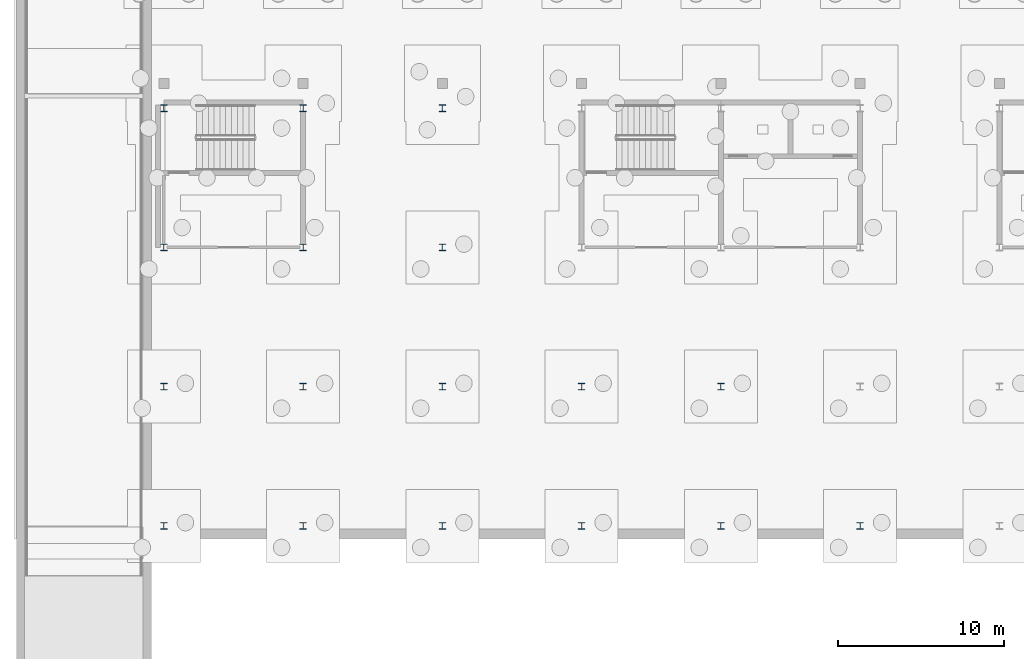
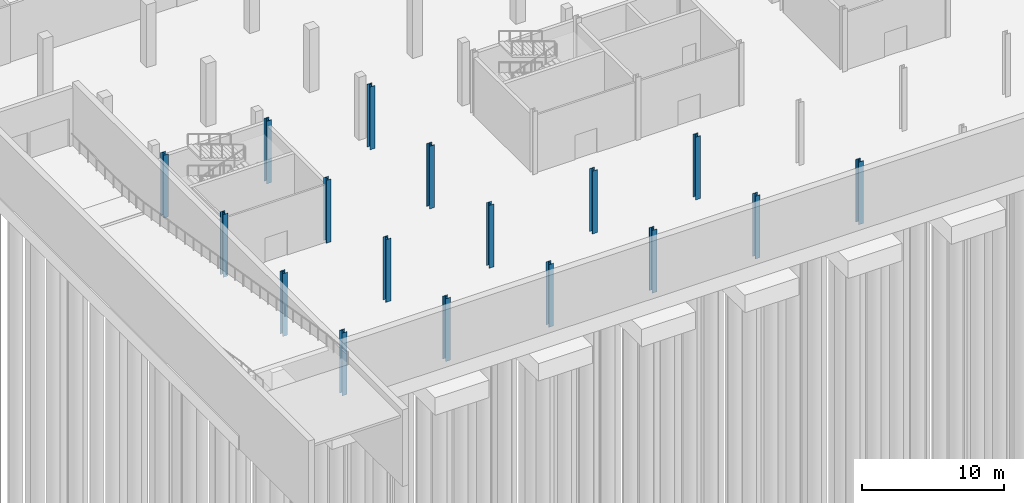
# One storey, part 5 of 29: 17 columns.
"""IFC4 building model written with IfcOpenShell, lengths in metres."""

from ifc_helpers import new_model, si_unit, direction, frame, origin, origin_2d, place, context, subcontext, project, spatial, i_section, extrude, material, material_profile, profile_set, type_object, element, save


model = new_model("IFC4")

# Units and contexts
model_context = context("Model", 3, precision=1e-05, world=origin(), true_north=direction((0.0, 1.0)))
body_context = subcontext(model_context, "Body", "Model", "MODEL_VIEW")
ifc_project = project(units=[si_unit("LENGTHUNIT", "METRE"), si_unit("AREAUNIT", "SQUARE_METRE"), si_unit("VOLUMEUNIT", "CUBIC_METRE"), si_unit("PLANEANGLEUNIT", "RADIAN"), si_unit("MASSUNIT", "GRAM", prefix="KILO")], contexts=[model_context])

# Site, building, storey
site_placement = place(None, origin())
site = spatial("IfcSite", under=ifc_project, at=site_placement, CompositionType="ELEMENT")
building_placement = place(site_placement, origin())
building = spatial("IfcBuilding", under=site, at=building_placement, Name="Cresset Court Congress Hotel", CompositionType="ELEMENT")
storey_placement = place(building_placement, frame((0.0, 0.0, -5.39990234375)))
storey = spatial("IfcBuildingStorey", under=building, at=storey_placement, Name="B1", CompositionType="ELEMENT", Elevation=-5.39990234375)

# Columns
ifc_material = material(Name="Structural steel Q355B", Category="steel")
ifc_material_profile = material_profile(ifc_material, i_section(OverallWidth=0.39990234375, OverallDepth=0.39990234375, WebThickness=0.012939453125, FlangeThickness=0.02099609375, FilletRadius=0.02197265625, at=origin_2d()), Name="HW400x400x13x21")
ifc_profile_set = profile_set([ifc_material_profile], Name="Structural steel Q355B")
column_type = type_object("IfcColumnType", Name="Steel column HW400x400x13x21", PredefinedType="COLUMN", material=ifc_profile_set)
for number, where, z_axis, x_axis, name in (
    (1, (8.39990234375, 0.0, 0.0), (0.0, 0.0, 1.0), (1.0, 0.0, 0.0), "B.col.B1.02A"),
    (2, (8.39990234375, 8.39990234375, 0.0), (0.0, 0.0, 1.0), (1.0, 0.0, 0.0), "B.col.B1.02B"),
    (3, (8.39990234375, 16.800048828125, 0.0), (0.0, 0.0, 1.0), (1.0, 0.0, 0.0), "B.col.B1.02C"),
    (4, (8.39990234375, 25.199951171875, 0.0), (0.0, 0.0, 1.0), (1.0, 0.0, 0.0), "B.col.B1.02D"),
    (5, (16.800048828125, 0.0, 0.0), (0.0, 0.0, 1.0), (1.0, 0.0, 0.0), "B.col.B1.03A"),
    (6, (16.800048828125, 8.39990234375, 0.0), (0.0, 0.0, 1.0), (1.0, 0.0, 0.0), "B.col.B1.03B"),
    (7, (16.800048828125, 16.800048828125, 0.0), (0.0, 0.0, 1.0), (1.0, 0.0, 0.0), "B.col.B1.03C"),
    (8, (16.800048828125, 25.199951171875, 0.0), (0.0, 0.0, 1.0), (1.0, 0.0, 0.0), "B.col.B1.03D"),
    (9, (25.199951171875, 0.0, 0.0), (0.0, 0.0, 1.0), (1.0, 0.0, 0.0), "B.col.B1.04A"),
    (10, (25.199951171875, 8.39990234375, 0.0), (0.0, 0.0, 1.0), (1.0, 0.0, 0.0), "B.col.B1.04B"),
    (11, (25.199951171875, 16.800048828125, 0.0), (0.0, 0.0, 1.0), (1.0, 0.0, 0.0), "B.col.B1.04C"),
    (12, (25.199951171875, 25.199951171875, 0.0), (0.0, 0.0, 1.0), (1.0, 0.0, 0.0), "B.col.B1.04D"),
    (13, (33.60009765625, 0.0, 0.0), (0.0, 0.0, 1.0), (1.0, 0.0, 0.0), "B.col.B1.05A"),
    (14, (33.60009765625, 8.39990234375, 0.0), (0.0, 0.0, 1.0), (1.0, 0.0, 0.0), "B.col.B1.05B"),
    (15, (42.0, 0.0, 0.0), (0.0, 0.0, 1.0), (1.0, 0.0, 0.0), "B.col.B1.06A"),
    (16, (42.0, 8.39990234375, 0.0), (0.0, 0.0, 1.0), (1.0, 0.0, 0.0), "B.col.B1.06B"),
    (17, (50.39990234375, 0.0, 0.0), (0.0, 0.0, 1.0), (1.0, 0.0, 0.0), "B.col.B1.07A"),
):
    element("IfcColumn", number, at=place(storey_placement, frame(where, z_axis=z_axis, x_axis=x_axis)), inside=storey, type_object=column_type, Name=name, PredefinedType="COLUMN", context=body_context, shape_type="SweptSolid", body=[
        extrude(i_section(OverallWidth=0.39990234375, OverallDepth=0.39990234375, WebThickness=0.012939453125, FlangeThickness=0.02099609375, FilletRadius=0.02197265625, at=origin_2d()), origin(), (0.0, 0.0, 1.0), 5.39990234375),
    ])

save(model, "model.ifc")
